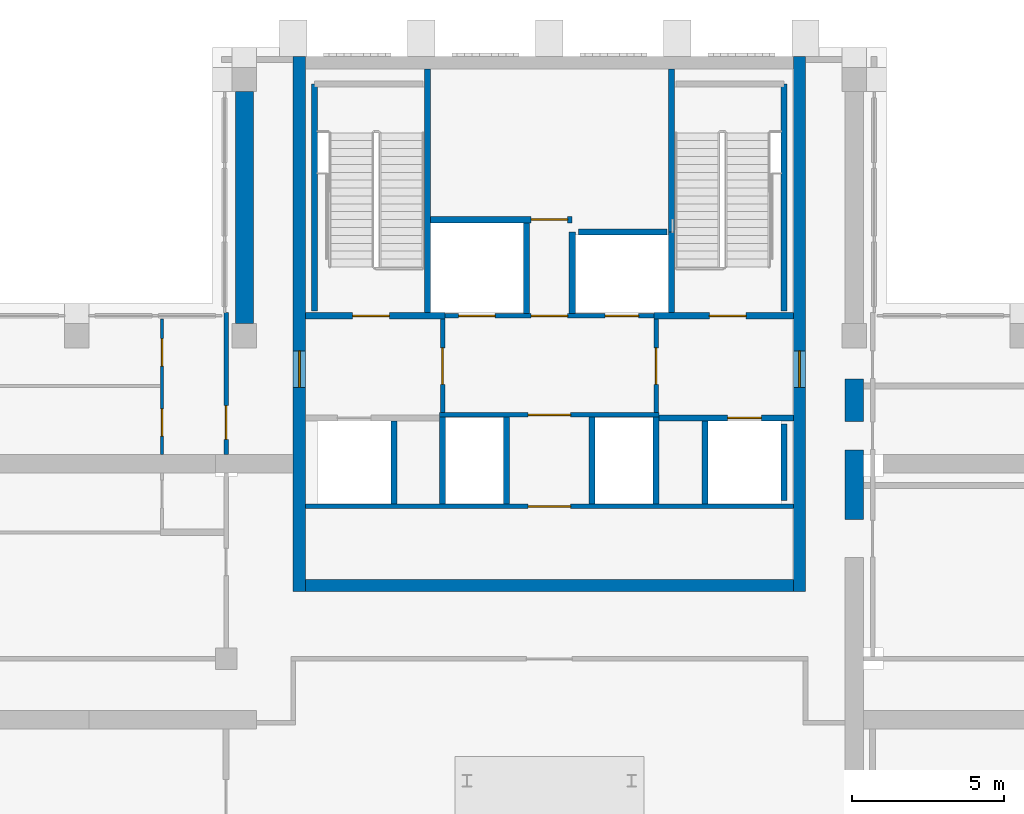
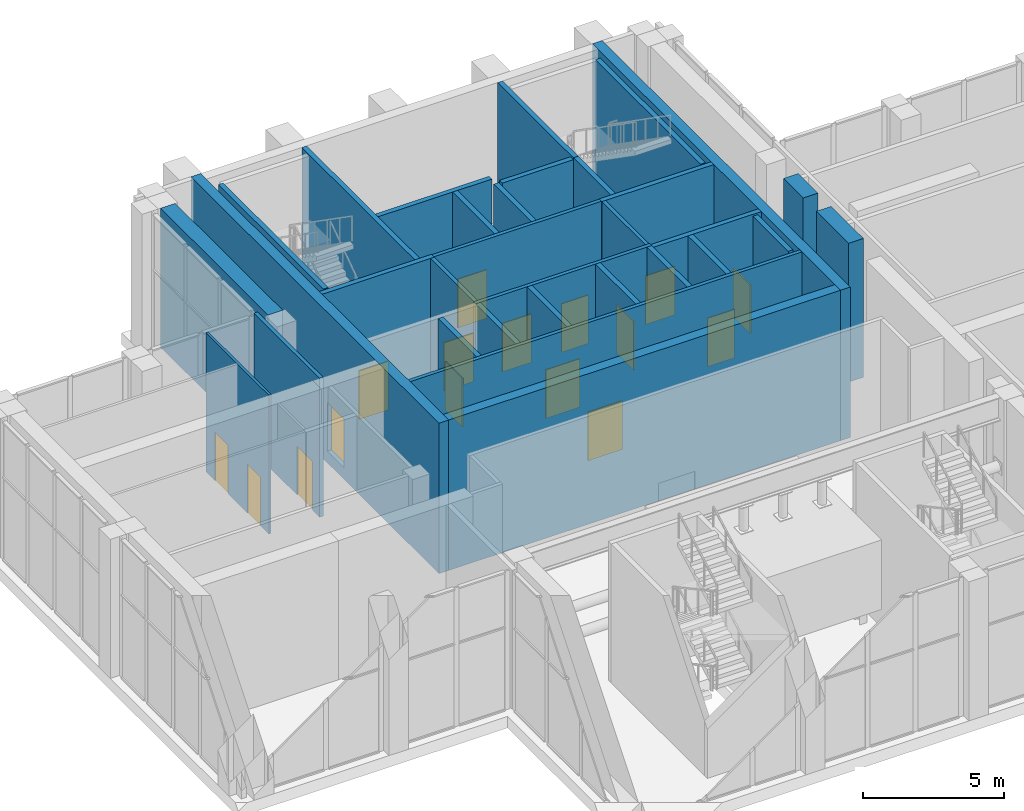
# One storey, part 10 of 14: 32 walls, 16 doors, 16 openings.
"""IFC4 building model written with IfcOpenShell, lengths in metres."""

from ifc_helpers import new_model, si_unit, direction, frame, frame_2d, origin, place, context, subcontext, project, spatial, rectangle, extrude, material, layer, layer_set, type_object, element, fill, save


model = new_model("IFC4")

# Units and contexts
model_context = context("Model", 3, precision=1e-05, world=origin(), true_north=direction((0.0, 1.0)))
body_context = subcontext(model_context, "Body", "Model", "MODEL_VIEW")
ifc_project = project(units=[si_unit("LENGTHUNIT", "METRE"), si_unit("AREAUNIT", "SQUARE_METRE"), si_unit("VOLUMEUNIT", "CUBIC_METRE"), si_unit("PLANEANGLEUNIT", "RADIAN"), si_unit("MASSUNIT", "GRAM", prefix="KILO")], contexts=[model_context])

# Site, building, storey
site_placement = place(None, origin())
site = spatial("IfcSite", under=ifc_project, at=site_placement, CompositionType="ELEMENT")
building_placement = place(site_placement, origin())
building = spatial("IfcBuilding", under=site, at=building_placement, Name="Vermilion Ogive Tower", CompositionType="ELEMENT")
storey_placement = place(building_placement, frame((0.0, 0.0, 278.35009765625)))
storey = spatial("IfcBuildingStorey", under=building, at=storey_placement, Name="L73", CompositionType="ELEMENT", Elevation=278.35009765625)

# Wall, opening, door
ifc_material_1 = material(Name="Concrete B60", Category="concrete")
ifc_layer_1 = layer(ifc_material_1, 0.39990234375)
ifc_layer_set_1 = layer_set([ifc_layer_1], Name="Core wall 400 B60")
wall_type_1 = type_object("IfcWallType", Name="Core wall 400 B60", PredefinedType="SHEAR", material=ifc_layer_set_1)
wall_1_placement = place(storey_placement, frame((8.199951171875, 4.199951171875, -0.5), z_axis=(0.0, 0.0, 1.0), x_axis=(0.0, 1.0, 0.0)))
wall_1 = element("IfcWall", 1, at=wall_1_placement, inside=storey, type_object=wall_type_1, Name="L73-CORE-E", PredefinedType="SHEAR", context=body_context, shape_type="SweptSolid", body=[
    extrude(rectangle(XDim=17.550048828125, YDim=0.39990234375, at=frame_2d((8.77490234375, 0.0))), origin(), (0.0, 0.0, 1.0), 6.5),
])
opening_1_placement = place(wall_1_placement, frame((6.699951171875, 0.0, 0.5)))
opening_1 = element("IfcOpeningElement", 2, at=opening_1_placement, cuts=wall_1, Name="Opening DAY003", PredefinedType="OPENING", context=body_context, shape_type="SweptSolid", body=[
    extrude(rectangle(XDim=1.199951171875, YDim=2.10009765625, at=frame_2d((0.60009765625, 1.050048828125))), frame((0.0, 0.2099609375, 0.0), z_axis=(0.0, -1.0, 0.0), x_axis=(1.0, 0.0, 0.0)), (0.0, 0.0, 1.0), 0.419921875),
])
ifc_material_2 = material(Name="Timber door leaf", Category="wood")
door_type_1 = type_object("IfcDoorType", Name="Link door 1200 x 2100 FD60S", OperationType="SINGLE_SWING_LEFT", PredefinedType="DOOR", material=ifc_material_2)
door_1_placement = place(opening_1_placement, origin())
door_1 = element("IfcDoor", 3, at=door_1_placement, inside=storey, type_object=door_type_1, Name="L73-CK-XD2", OperationType="SINGLE_SWING_LEFT", OverallHeight=2.10009765625, OverallWidth=1.199951171875, PredefinedType="DOOR", context=body_context, shape_type="SweptSolid", body=[
    extrude(rectangle(XDim=1.199951171875, YDim=2.10009765625, at=frame_2d((0.60009765625, 1.050048828125))), frame((0.0, 0.02490234375, 0.0), z_axis=(0.0, -1.0, 0.0), x_axis=(1.0, 0.0, 0.0)), (0.0, 0.0, 1.0), 0.050048828125),
])
fill(opening_1, door_1)

wall_2_placement = place(storey_placement, frame((-8.199951171875, 4.199951171875, -0.5), z_axis=(0.0, 0.0, 1.0), x_axis=(0.0, 1.0, 0.0)))
wall_2 = element("IfcWall", 4, at=wall_2_placement, inside=storey, type_object=wall_type_1, Name="L73-CORE-W", PredefinedType="SHEAR", context=body_context, shape_type="SweptSolid", body=[
    extrude(rectangle(XDim=17.550048828125, YDim=0.39990234375, at=frame_2d((8.77490234375, 0.0))), origin(), (0.0, 0.0, 1.0), 6.5),
])
opening_2_placement = place(wall_2_placement, frame((6.699951171875, 0.0, 0.5)))
opening_2 = element("IfcOpeningElement", 5, at=opening_2_placement, cuts=wall_2, Name="Opening DAZ003", PredefinedType="OPENING", context=body_context, shape_type="SweptSolid", body=[
    extrude(rectangle(XDim=1.199951171875, YDim=2.10009765625, at=frame_2d((0.60009765625, 1.050048828125))), frame((0.0, 0.2099609375, 0.0), z_axis=(0.0, -1.0, 0.0), x_axis=(1.0, 0.0, 0.0)), (0.0, 0.0, 1.0), 0.419921875),
])
door_2_placement = place(opening_2_placement, origin())
door_2 = element("IfcDoor", 6, at=door_2_placement, inside=storey, type_object=door_type_1, Name="L73-CK-XD1", OperationType="SINGLE_SWING_LEFT", OverallHeight=2.10009765625, OverallWidth=1.199951171875, PredefinedType="DOOR", context=body_context, shape_type="SweptSolid", body=[
    extrude(rectangle(XDim=1.199951171875, YDim=2.10009765625, at=frame_2d((0.60009765625, 1.050048828125))), frame((0.0, 0.02490234375, 0.0), z_axis=(0.0, -1.0, 0.0), x_axis=(1.0, 0.0, 0.0)), (0.0, 0.0, 1.0), 0.050048828125),
])
fill(opening_2, door_2)

# Wall
wall_3_placement = place(storey_placement, frame((-8.0, 4.39990234375, -0.5), z_axis=(0.0, 0.0, 1.0), x_axis=(1.0, 0.0, 0.0)))
element("IfcWall", 7, at=wall_3_placement, inside=storey, type_object=wall_type_1, Name="L73-CORE-S", PredefinedType="SHEAR", context=body_context, shape_type="SweptSolid", body=[
    extrude(rectangle(XDim=16.0, YDim=0.39990234375, at=frame_2d((8.0, 0.0))), origin(), (0.0, 0.0, 1.0), 6.5),
])

# Wall, openings, doors
ifc_material_3 = material(Name="Gypsum board partition on steel studs", Category="steel")
ifc_layer_2 = layer(ifc_material_3, 0.10009765625)
ifc_layer_set_2 = layer_set([ifc_layer_2], Name="Partition 100 bath")
wall_type_2 = type_object("IfcWallType", Name="Partition 100 bath", PredefinedType="PARTITIONING", material=ifc_layer_set_2)
wall_4_placement = place(storey_placement, frame((-12.699951171875, 8.700927734375, 0.0), z_axis=(0.0, 0.0, 1.0), x_axis=(0.0, 1.0, 0.0)))
wall_4 = element("IfcWall", 8, at=wall_4_placement, inside=storey, type_object=wall_type_2, Name="L73-FS-W-W012b", PredefinedType="PARTITIONING", context=body_context, shape_type="SweptSolid", body=[
    extrude(rectangle(XDim=4.448974609375, YDim=0.10009765625, at=frame_2d((2.224609375, 0.0))), origin(), (0.0, 0.0, 1.0), 6.0),
])
opening_3_placement = place(wall_4_placement, frame((0.59912109375, 0.0, 0.0)))
opening_3 = element("IfcOpeningElement", 9, at=opening_3_placement, cuts=wall_4, Name="Opening L73S006", PredefinedType="OPENING", context=body_context, shape_type="SweptSolid", body=[
    extrude(rectangle(XDim=0.89990234375, YDim=2.10009765625, at=frame_2d((0.449951171875, 1.050048828125))), frame((0.0, 0.06005859375, 0.0), z_axis=(0.0, -1.0, 0.0), x_axis=(1.0, 0.0, 0.0)), (0.0, 0.0, 1.0), 0.1201171875),
])
opening_4_placement = place(wall_4_placement, frame((2.89892578125, 0.0, 0.0)))
opening_4 = element("IfcOpeningElement", 10, at=opening_4_placement, cuts=wall_4, Name="Opening L73S007", PredefinedType="OPENING", context=body_context, shape_type="SweptSolid", body=[
    extrude(rectangle(XDim=0.89990234375, YDim=2.10009765625, at=frame_2d((0.449951171875, 1.050048828125))), frame((0.0, 0.06005859375, 0.0), z_axis=(0.0, -1.0, 0.0), x_axis=(1.0, 0.0, 0.0)), (0.0, 0.0, 1.0), 0.1201171875),
])
ifc_material_4 = material(Name="Timber door leaf", Category="wood")
door_type_2 = type_object("IfcDoorType", Name="Room door 900 x 2100 FD30", OperationType="SINGLE_SWING_LEFT", PredefinedType="DOOR", material=ifc_material_4)
door_3_placement = place(opening_3_placement, origin())
door_3 = element("IfcDoor", 11, at=door_3_placement, inside=storey, type_object=door_type_2, Name="L73-FS-D-D006", OperationType="SINGLE_SWING_LEFT", OverallHeight=2.10009765625, OverallWidth=0.89990234375, PredefinedType="DOOR", context=body_context, shape_type="SweptSolid", body=[
    extrude(rectangle(XDim=0.89990234375, YDim=2.10009765625, at=frame_2d((0.449951171875, 1.050048828125))), frame((0.0, 0.02490234375, 0.0), z_axis=(0.0, -1.0, 0.0), x_axis=(1.0, 0.0, 0.0)), (0.0, 0.0, 1.0), 0.050048828125),
])
fill(opening_3, door_3)
door_4_placement = place(opening_4_placement, origin())
door_4 = element("IfcDoor", 12, at=door_4_placement, inside=storey, type_object=door_type_2, Name="L73-FS-D-D007", OperationType="SINGLE_SWING_RIGHT", OverallHeight=2.10009765625, OverallWidth=0.89990234375, PredefinedType="DOOR", context=body_context, shape_type="SweptSolid", body=[
    extrude(rectangle(XDim=0.89990234375, YDim=2.10009765625, at=frame_2d((0.449951171875, 1.050048828125))), frame((0.0, 0.02490234375, 0.0), z_axis=(0.0, -1.0, 0.0), x_axis=(1.0, 0.0, 0.0)), (0.0, 0.0, 1.0), 0.050048828125),
])
fill(opening_4, door_4)

# Wall, opening, door
ifc_material_5 = material(Name="Gypsum board partition on steel studs", Category="steel")
ifc_layer_3 = layer(ifc_material_5, 0.14990234375)
ifc_layer_set_3 = layer_set([ifc_layer_3], Name="Partition 150 corridor")
wall_type_3 = type_object("IfcWallType", Name="Partition 150 corridor", PredefinedType="PARTITIONING", material=ifc_layer_set_3)
wall_5_placement = place(storey_placement, frame((-10.60009765625, 8.700927734375, 0.0), z_axis=(0.0, 0.0, 1.0), x_axis=(0.0, 1.0, 0.0)))
wall_5 = element("IfcWall", 13, at=wall_5_placement, inside=storey, type_object=wall_type_3, Name="L73-FS-W-W014b", PredefinedType="PARTITIONING", context=body_context, shape_type="SweptSolid", body=[
    extrude(rectangle(XDim=4.649169921875, YDim=0.14990234375, at=frame_2d((2.32470703125, 0.0))), origin(), (0.0, 0.0, 1.0), 6.0),
])
opening_5_placement = place(wall_5_placement, frame((0.4990234375, 0.0, 0.0)))
opening_5 = element("IfcOpeningElement", 14, at=opening_5_placement, cuts=wall_5, Name="Opening L73S004", PredefinedType="OPENING", context=body_context, shape_type="SweptSolid", body=[
    extrude(rectangle(XDim=1.10009765625, YDim=2.10009765625, at=frame_2d((0.550048828125, 1.050048828125))), frame((0.0, 0.0849609375, 0.0), z_axis=(0.0, -1.0, 0.0), x_axis=(1.0, 0.0, 0.0)), (0.0, 0.0, 1.0), 0.169921875),
])
ifc_material_6 = material(Name="Timber door leaf", Category="wood")
door_type_3 = type_object("IfcDoorType", Name="Wc door 1100 x 2100 FD30", OperationType="SINGLE_SWING_LEFT", PredefinedType="DOOR", material=ifc_material_6)
door_5_placement = place(opening_5_placement, origin())
door_5 = element("IfcDoor", 15, at=door_5_placement, inside=storey, type_object=door_type_3, Name="L73-FS-D-D004", OperationType="SINGLE_SWING_LEFT", OverallHeight=2.10009765625, OverallWidth=1.10009765625, PredefinedType="DOOR", context=body_context, shape_type="SweptSolid", body=[
    extrude(rectangle(XDim=1.10009765625, YDim=2.10009765625, at=frame_2d((0.550048828125, 1.050048828125))), frame((0.0, 0.02490234375, 0.0), z_axis=(0.0, -1.0, 0.0), x_axis=(1.0, 0.0, 0.0)), (0.0, 0.0, 1.0), 0.050048828125),
])
fill(opening_5, door_5)

wall_6_placement = place(storey_placement, frame((-7.9990234375, 7.0, 0.0), z_axis=(0.0, 0.0, 1.0), x_axis=(1.0, 0.0, 0.0)))
wall_6 = element("IfcWall", 16, at=wall_6_placement, inside=storey, type_object=wall_type_3, Name="L73-CK-W-W001", PredefinedType="PARTITIONING", context=body_context, shape_type="SweptSolid", body=[
    extrude(rectangle(XDim=15.998046875, YDim=0.14990234375, at=frame_2d((7.9990234375, 0.0))), origin(), (0.0, 0.0, 1.0), 6.0),
])
opening_6_placement = place(wall_6_placement, frame((7.299072265625, 0.0, 0.0)))
opening_6 = element("IfcOpeningElement", 17, at=opening_6_placement, cuts=wall_6, Name="Opening DAE031", PredefinedType="OPENING", context=body_context, shape_type="SweptSolid", body=[
    extrude(rectangle(XDim=1.39990234375, YDim=2.10009765625, at=frame_2d((0.699951171875, 1.050048828125))), frame((0.0, 0.0849609375, 0.0), z_axis=(0.0, -1.0, 0.0), x_axis=(1.0, 0.0, 0.0)), (0.0, 0.0, 1.0), 0.169921875),
])
ifc_material_7 = material(Name="Timber door leaf", Category="wood")
door_type_4 = type_object("IfcDoorType", Name="Lobby door 1400 x 2100 FD60S", OperationType="SINGLE_SWING_LEFT", PredefinedType="DOOR", material=ifc_material_7)
door_6_placement = place(opening_6_placement, origin())
door_6 = element("IfcDoor", 18, at=door_6_placement, inside=storey, type_object=door_type_4, Name="L73-CK-D-D005", OperationType="SINGLE_SWING_RIGHT", OverallHeight=2.10009765625, OverallWidth=1.39990234375, PredefinedType="DOOR", context=body_context, shape_type="SweptSolid", body=[
    extrude(rectangle(XDim=1.39990234375, YDim=2.10009765625, at=frame_2d((0.699951171875, 1.050048828125))), frame((0.0, 0.02490234375, 0.0), z_axis=(0.0, -1.0, 0.0), x_axis=(1.0, 0.0, 0.0)), (0.0, 0.0, 1.0), 0.050048828125),
])
fill(opening_6, door_6)

wall_7_placement = place(storey_placement, frame((-3.60009765625, 10.0, 0.0), z_axis=(0.0, 0.0, 1.0), x_axis=(1.0, 0.0, 0.0)))
wall_7 = element("IfcWall", 19, at=wall_7_placement, inside=storey, type_object=wall_type_3, Name="L73-CK-W-W004", PredefinedType="PARTITIONING", context=body_context, shape_type="SweptSolid", body=[
    extrude(rectangle(XDim=7.2001953125, YDim=0.14990234375, at=frame_2d((3.60009765625, 0.0))), origin(), (0.0, 0.0, 1.0), 6.0),
])
opening_7_placement = place(wall_7_placement, frame((2.900146484375, 0.0, 0.0)))
opening_7 = element("IfcOpeningElement", 20, at=opening_7_placement, cuts=wall_7, Name="Opening DAE032", PredefinedType="OPENING", context=body_context, shape_type="SweptSolid", body=[
    extrude(rectangle(XDim=1.39990234375, YDim=2.10009765625, at=frame_2d((0.699951171875, 1.050048828125))), frame((0.0, 0.0849609375, 0.0), z_axis=(0.0, -1.0, 0.0), x_axis=(1.0, 0.0, 0.0)), (0.0, 0.0, 1.0), 0.169921875),
])
door_7_placement = place(opening_7_placement, origin())
door_7 = element("IfcDoor", 21, at=door_7_placement, inside=storey, type_object=door_type_4, Name="L73-CK-D-D006", OperationType="SINGLE_SWING_RIGHT", OverallHeight=2.10009765625, OverallWidth=1.39990234375, PredefinedType="DOOR", context=body_context, shape_type="SweptSolid", body=[
    extrude(rectangle(XDim=1.39990234375, YDim=2.10009765625, at=frame_2d((0.699951171875, 1.050048828125))), frame((0.0, 0.02490234375, 0.0), z_axis=(0.0, -1.0, 0.0), x_axis=(1.0, 0.0, 0.0)), (0.0, 0.0, 1.0), 0.050048828125),
])
fill(opening_7, door_7)

# Wall, openings, doors
wall_8_placement = place(storey_placement, frame((-3.574951171875, 13.25, 0.0), z_axis=(0.0, 0.0, 1.0), x_axis=(1.0, 0.0, 0.0)))
wall_8 = element("IfcWall", 22, at=wall_8_placement, inside=storey, type_object=wall_type_3, Name="L73-CK-W-W006", PredefinedType="PARTITIONING", context=body_context, shape_type="SweptSolid", body=[
    extrude(rectangle(XDim=7.14990234375, YDim=0.14990234375, at=frame_2d((3.574951171875, 0.0))), origin(), (0.0, 0.0, 1.0), 6.0),
])
opening_8_placement = place(wall_8_placement, frame((0.599853515625, 0.0, 0.0)))
opening_8 = element("IfcOpeningElement", 23, at=opening_8_placement, cuts=wall_8, Name="Opening DAE040", PredefinedType="OPENING", context=body_context, shape_type="SweptSolid", body=[
    extrude(rectangle(XDim=1.199951171875, YDim=2.10009765625, at=frame_2d((0.60009765625, 1.050048828125))), frame((0.0, 0.0849609375, 0.0), z_axis=(0.0, -1.0, 0.0), x_axis=(1.0, 0.0, 0.0)), (0.0, 0.0, 1.0), 0.169921875),
])
opening_9_placement = place(wall_8_placement, frame((5.39990234375, 0.0, 0.0)))
opening_9 = element("IfcOpeningElement", 24, at=opening_9_placement, cuts=wall_8, Name="Opening DAE039", PredefinedType="OPENING", context=body_context, shape_type="SweptSolid", body=[
    extrude(rectangle(XDim=1.10009765625, YDim=2.10009765625, at=frame_2d((0.550048828125, 1.050048828125))), frame((0.0, 0.0849609375, 0.0), z_axis=(0.0, -1.0, 0.0), x_axis=(1.0, 0.0, 0.0)), (0.0, 0.0, 1.0), 0.169921875),
])
opening_10_placement = place(wall_8_placement, frame((2.974853515625, 0.0, 0.0)))
opening_10 = element("IfcOpeningElement", 25, at=opening_10_placement, cuts=wall_8, Name="Opening DAE033", PredefinedType="OPENING", context=body_context, shape_type="SweptSolid", body=[
    extrude(rectangle(XDim=1.199951171875, YDim=2.10009765625, at=frame_2d((0.60009765625, 1.050048828125))), frame((0.0, 0.0849609375, 0.0), z_axis=(0.0, -1.0, 0.0), x_axis=(1.0, 0.0, 0.0)), (0.0, 0.0, 1.0), 0.169921875),
])
ifc_material_8 = material(Name="Stainless steel", Category="steel")
door_type_5 = type_object("IfcDoorType", Name="Lift landing door 1100 x 2100", OperationType="SLIDING_TO_LEFT", PredefinedType="DOOR", material=ifc_material_8)
door_8_placement = place(opening_9_placement, origin())
door_8 = element("IfcDoor", 26, at=door_8_placement, inside=storey, type_object=door_type_5, Name="L73-CK-D-D008", OperationType="SLIDING_TO_LEFT", OverallHeight=2.10009765625, OverallWidth=1.10009765625, PredefinedType="DOOR", context=body_context, shape_type="SweptSolid", body=[
    extrude(rectangle(XDim=1.10009765625, YDim=2.10009765625, at=frame_2d((0.550048828125, 1.050048828125))), frame((0.0, 0.02490234375, 0.0), z_axis=(0.0, -1.0, 0.0), x_axis=(1.0, 0.0, 0.0)), (0.0, 0.0, 1.0), 0.050048828125),
])
fill(opening_9, door_8)
ifc_material_9 = material(Name="Stainless steel", Category="steel")
door_type_6 = type_object("IfcDoorType", Name="Lift landing door 1200 x 2100", OperationType="SLIDING_TO_LEFT", PredefinedType="DOOR", material=ifc_material_9)
door_9_placement = place(opening_8_placement, origin())
door_9 = element("IfcDoor", 27, at=door_9_placement, inside=storey, type_object=door_type_6, Name="L73-CK-D-D007", OperationType="SLIDING_TO_RIGHT", OverallHeight=2.10009765625, OverallWidth=1.199951171875, PredefinedType="DOOR", context=body_context, shape_type="SweptSolid", body=[
    extrude(rectangle(XDim=1.199951171875, YDim=2.10009765625, at=frame_2d((0.60009765625, 1.050048828125))), frame((0.0, 0.02490234375, 0.0), z_axis=(0.0, -1.0, 0.0), x_axis=(1.0, 0.0, 0.0)), (0.0, 0.0, 1.0), 0.050048828125),
])
fill(opening_8, door_9)
ifc_material_10 = material(Name="Timber door leaf", Category="wood")
door_type_7 = type_object("IfcDoorType", Name="Service door 1200 x 2100 FD60", OperationType="SINGLE_SWING_LEFT", PredefinedType="DOOR", material=ifc_material_10)
door_10_placement = place(opening_10_placement, origin())
door_10 = element("IfcDoor", 28, at=door_10_placement, inside=storey, type_object=door_type_7, Name="L73-CK-D-D009", OperationType="SINGLE_SWING_RIGHT", OverallHeight=2.10009765625, OverallWidth=1.199951171875, PredefinedType="DOOR", context=body_context, shape_type="SweptSolid", body=[
    extrude(rectangle(XDim=1.199951171875, YDim=2.10009765625, at=frame_2d((0.60009765625, 1.050048828125))), frame((0.0, 0.02490234375, 0.0), z_axis=(0.0, -1.0, 0.0), x_axis=(1.0, 0.0, 0.0)), (0.0, 0.0, 1.0), 0.050048828125),
])
fill(opening_10, door_10)

# Wall, opening, door
wall_9_placement = place(storey_placement, frame((-3.5, 10.074951171875, 0.0), z_axis=(0.0, 0.0, 1.0), x_axis=(0.0, 1.0, 0.0)))
wall_9 = element("IfcWall", 29, at=wall_9_placement, inside=storey, type_object=wall_type_3, Name="L73-CK-W-W012", PredefinedType="PARTITIONING", context=body_context, shape_type="SweptSolid", body=[
    extrude(rectangle(XDim=3.074951171875, YDim=0.14990234375, at=frame_2d((1.53759765625, 0.0))), origin(), (0.0, 0.0, 1.0), 6.0),
])
opening_11_placement = place(wall_9_placement, frame((0.925048828125, 0.0, 0.0)))
opening_11 = element("IfcOpeningElement", 30, at=opening_11_placement, cuts=wall_9, Name="Opening DAE029", PredefinedType="OPENING", context=body_context, shape_type="SweptSolid", body=[
    extrude(rectangle(XDim=1.199951171875, YDim=2.10009765625, at=frame_2d((0.60009765625, 1.050048828125))), frame((0.0, 0.0849609375, 0.0), z_axis=(0.0, -1.0, 0.0), x_axis=(1.0, 0.0, 0.0)), (0.0, 0.0, 1.0), 0.169921875),
])
ifc_material_11 = material(Name="Timber door leaf", Category="wood")
door_type_8 = type_object("IfcDoorType", Name="Lobby door 1200 x 2100 FD60S", OperationType="SINGLE_SWING_LEFT", PredefinedType="DOOR", material=ifc_material_11)
door_11_placement = place(opening_11_placement, origin())
door_11 = element("IfcDoor", 31, at=door_11_placement, inside=storey, type_object=door_type_8, Name="L73-CK-D-D011", OperationType="SINGLE_SWING_RIGHT", OverallHeight=2.10009765625, OverallWidth=1.199951171875, PredefinedType="DOOR", context=body_context, shape_type="SweptSolid", body=[
    extrude(rectangle(XDim=1.199951171875, YDim=2.10009765625, at=frame_2d((0.60009765625, 1.050048828125))), frame((0.0, 0.02490234375, 0.0), z_axis=(0.0, -1.0, 0.0), x_axis=(1.0, 0.0, 0.0)), (0.0, 0.0, 1.0), 0.050048828125),
])
fill(opening_11, door_11)

wall_10_placement = place(storey_placement, frame((3.5, 10.074951171875, 0.0), z_axis=(0.0, 0.0, 1.0), x_axis=(0.0, 1.0, 0.0)))
wall_10 = element("IfcWall", 32, at=wall_10_placement, inside=storey, type_object=wall_type_3, Name="L73-CK-W-W018", PredefinedType="PARTITIONING", context=body_context, shape_type="SweptSolid", body=[
    extrude(rectangle(XDim=3.074951171875, YDim=0.14990234375, at=frame_2d((1.53759765625, 0.0))), origin(), (0.0, 0.0, 1.0), 6.0),
])
opening_12_placement = place(wall_10_placement, frame((0.925048828125, 0.0, 0.0)))
opening_12 = element("IfcOpeningElement", 33, at=opening_12_placement, cuts=wall_10, Name="Opening DAE030", PredefinedType="OPENING", context=body_context, shape_type="SweptSolid", body=[
    extrude(rectangle(XDim=1.199951171875, YDim=2.10009765625, at=frame_2d((0.60009765625, 1.050048828125))), frame((0.0, 0.0849609375, 0.0), z_axis=(0.0, -1.0, 0.0), x_axis=(1.0, 0.0, 0.0)), (0.0, 0.0, 1.0), 0.169921875),
])
door_12_placement = place(opening_12_placement, origin())
door_12 = element("IfcDoor", 34, at=door_12_placement, inside=storey, type_object=door_type_8, Name="L73-CK-D-D012", OperationType="SINGLE_SWING_LEFT", OverallHeight=2.10009765625, OverallWidth=1.199951171875, PredefinedType="DOOR", context=body_context, shape_type="SweptSolid", body=[
    extrude(rectangle(XDim=1.199951171875, YDim=2.10009765625, at=frame_2d((0.60009765625, 1.050048828125))), frame((0.0, 0.02490234375, 0.0), z_axis=(0.0, -1.0, 0.0), x_axis=(1.0, 0.0, 0.0)), (0.0, 0.0, 1.0), 0.050048828125),
])
fill(opening_12, door_12)

ifc_material_12 = material(Name="Gypsum board partition on steel studs", Category="steel")
ifc_layer_4 = layer(ifc_material_12, 0.199951171875)
ifc_layer_set_4 = layer_set([ifc_layer_4], Name="Partition 200 party")
wall_type_4 = type_object("IfcWallType", Name="Partition 200 party", PredefinedType="PARTITIONING", material=ifc_layer_set_4)
wall_11_placement = place(storey_placement, frame((3.60009765625, 9.89990234375, 0.0), z_axis=(0.0, 0.0, 1.0), x_axis=(1.0, 0.0, 0.0)))
wall_11 = element("IfcWall", 35, at=wall_11_placement, inside=storey, type_object=wall_type_4, Name="L73-CK-W-W003", PredefinedType="PARTITIONING", context=body_context, shape_type="SweptSolid", body=[
    extrude(rectangle(XDim=4.39892578125, YDim=0.199951171875, at=frame_2d((2.199462890625, 0.0))), origin(), (0.0, 0.0, 1.0), 6.0),
])
opening_13_placement = place(wall_11_placement, frame((2.25, 0.0, 0.0)))
opening_13 = element("IfcOpeningElement", 36, at=opening_13_placement, cuts=wall_11, Name="Opening DAE038", PredefinedType="OPENING", context=body_context, shape_type="SweptSolid", body=[
    extrude(rectangle(XDim=1.10009765625, YDim=2.10009765625, at=frame_2d((0.550048828125, 1.050048828125))), frame((0.0, 0.10986328125, 0.0), z_axis=(0.0, -1.0, 0.0), x_axis=(1.0, 0.0, 0.0)), (0.0, 0.0, 1.0), 0.219970703125),
])
door_13_placement = place(opening_13_placement, origin())
door_13 = element("IfcDoor", 37, at=door_13_placement, inside=storey, type_object=door_type_5, Name="L73-CK-D-D004", OperationType="SLIDING_TO_LEFT", OverallHeight=2.10009765625, OverallWidth=1.10009765625, PredefinedType="DOOR", context=body_context, shape_type="SweptSolid", body=[
    extrude(rectangle(XDim=1.10009765625, YDim=2.10009765625, at=frame_2d((0.550048828125, 1.050048828125))), frame((0.0, 0.02490234375, 0.0), z_axis=(0.0, -1.0, 0.0), x_axis=(1.0, 0.0, 0.0)), (0.0, 0.0, 1.0), 0.050048828125),
])
fill(opening_13, door_13)

wall_12_placement = place(storey_placement, frame((-3.89990234375, 16.39990234375, 0.0), z_axis=(0.0, 0.0, 1.0), x_axis=(1.0, 0.0, 0.0)))
wall_12 = element("IfcWall", 38, at=wall_12_placement, inside=storey, type_object=wall_type_4, Name="L73-CK-W-W008", PredefinedType="PARTITIONING", context=body_context, shape_type="SweptSolid", body=[
    extrude(rectangle(XDim=4.64990234375, YDim=0.199951171875, at=frame_2d((2.324951171875, 0.0))), origin(), (0.0, 0.0, 1.0), 6.0),
])
opening_14_placement = place(wall_12_placement, frame((3.2998046875, 0.0, 0.0)))
opening_14 = element("IfcOpeningElement", 39, at=opening_14_placement, cuts=wall_12, Name="Opening DAE034", PredefinedType="OPENING", context=body_context, shape_type="SweptSolid", body=[
    extrude(rectangle(XDim=1.199951171875, YDim=2.10009765625, at=frame_2d((0.60009765625, 1.050048828125))), frame((0.0, 0.10986328125, 0.0), z_axis=(0.0, -1.0, 0.0), x_axis=(1.0, 0.0, 0.0)), (0.0, 0.0, 1.0), 0.219970703125),
])
door_14_placement = place(opening_14_placement, origin())
door_14 = element("IfcDoor", 40, at=door_14_placement, inside=storey, type_object=door_type_7, Name="L73-CK-D-D010", OperationType="SINGLE_SWING_RIGHT", OverallHeight=2.10009765625, OverallWidth=1.199951171875, PredefinedType="DOOR", context=body_context, shape_type="SweptSolid", body=[
    extrude(rectangle(XDim=1.199951171875, YDim=2.10009765625, at=frame_2d((0.60009765625, 1.050048828125))), frame((0.0, 0.02490234375, 0.0), z_axis=(0.0, -1.0, 0.0), x_axis=(1.0, 0.0, 0.0)), (0.0, 0.0, 1.0), 0.050048828125),
])
fill(opening_14, door_14)

# Walls
wall_13_placement = place(storey_placement, frame((-5.10009765625, 7.074951171875, 0.0), z_axis=(0.0, 0.0, 1.0), x_axis=(0.0, 1.0, 0.0)))
element("IfcWall", 41, at=wall_13_placement, inside=storey, type_object=wall_type_4, Name="L73-CK-W-W009", PredefinedType="PARTITIONING", context=body_context, shape_type="SweptSolid", body=[
    extrude(rectangle(XDim=2.72509765625, YDim=0.199951171875, at=frame_2d((1.362548828125, 0.0))), origin(), (0.0, 0.0, 1.0), 6.0),
])
for number, where, z_axis, x_axis, name in (
    (42, (-3.5, 7.074951171875, 0.0), (0.0, 0.0, 1.0), (0.0, 1.0, 0.0), "L73-CK-W-W011"),
    (43, (-1.39990234375, 7.074951171875, 0.0), (0.0, 0.0, 1.0), (0.0, 1.0, 0.0), "L73-CK-W-W013"),
):
    element("IfcWall", number, at=place(storey_placement, frame(where, z_axis=z_axis, x_axis=x_axis)), inside=storey, type_object=wall_type_4, Name=name, PredefinedType="PARTITIONING", context=body_context, shape_type="SweptSolid", body=[
        extrude(rectangle(XDim=2.85009765625, YDim=0.199951171875, at=frame_2d((1.425048828125, 0.0))), origin(), (0.0, 0.0, 1.0), 6.0),
    ])
wall_14_placement = place(storey_placement, frame((-0.75, 13.324951171875, 0.0), z_axis=(0.0, 0.0, 1.0), x_axis=(0.0, 1.0, 0.0)))
element("IfcWall", 44, at=wall_14_placement, inside=storey, type_object=wall_type_4, Name="L73-CK-W-W014", PredefinedType="PARTITIONING", context=body_context, shape_type="SweptSolid", body=[
    extrude(rectangle(XDim=2.97509765625, YDim=0.199951171875, at=frame_2d((1.487548828125, 0.0))), origin(), (0.0, 0.0, 1.0), 6.0),
])
wall_15_placement = place(storey_placement, frame((0.75, 13.324951171875, 0.0), z_axis=(0.0, 0.0, 1.0), x_axis=(0.0, 1.0, 0.0)))
element("IfcWall", 45, at=wall_15_placement, inside=storey, type_object=wall_type_4, Name="L73-CK-W-W015", PredefinedType="PARTITIONING", context=body_context, shape_type="SweptSolid", body=[
    extrude(rectangle(XDim=2.675048828125, YDim=0.199951171875, at=frame_2d((1.33740234375, 0.0))), origin(), (0.0, 0.0, 1.0), 6.0),
])
for number, where, z_axis, x_axis, name in (
    (46, (1.39990234375, 7.074951171875, 0.0), (0.0, 0.0, 1.0), (0.0, 1.0, 0.0), "L73-CK-W-W016"),
    (47, (3.5, 7.074951171875, 0.0), (0.0, 0.0, 1.0), (0.0, 1.0, 0.0), "L73-CK-W-W017"),
):
    element("IfcWall", number, at=place(storey_placement, frame(where, z_axis=z_axis, x_axis=x_axis)), inside=storey, type_object=wall_type_4, Name=name, PredefinedType="PARTITIONING", context=body_context, shape_type="SweptSolid", body=[
        extrude(rectangle(XDim=2.85009765625, YDim=0.199951171875, at=frame_2d((1.425048828125, 0.0))), origin(), (0.0, 0.0, 1.0), 6.0),
    ])
wall_16_placement = place(storey_placement, frame((5.10009765625, 7.074951171875, 0.0), z_axis=(0.0, 0.0, 1.0), x_axis=(0.0, 1.0, 0.0)))
element("IfcWall", 48, at=wall_16_placement, inside=storey, type_object=wall_type_4, Name="L73-CK-W-W021", PredefinedType="PARTITIONING", context=body_context, shape_type="SweptSolid", body=[
    extrude(rectangle(XDim=2.72509765625, YDim=0.199951171875, at=frame_2d((1.362548828125, 0.0))), origin(), (0.0, 0.0, 1.0), 6.0),
])

# Wall, opening, door
ifc_material_13 = material(Name="Concrete B60", Category="concrete")
ifc_layer_5 = layer(ifc_material_13, 0.199951171875)
ifc_layer_set_5 = layer_set([ifc_layer_5], Name="Stair shaft wall 200 Concrete B60")
wall_type_5 = type_object("IfcWallType", Name="Stair shaft wall 200 Concrete B60", PredefinedType="SOLIDWALL", material=ifc_layer_set_5)
wall_17_placement = place(storey_placement, frame((-7.9990234375, 13.25, 0.0), z_axis=(0.0, 0.0, 1.0), x_axis=(1.0, 0.0, 0.0)))
wall_17 = element("IfcWall", 49, at=wall_17_placement, inside=storey, type_object=wall_type_5, Name="L73-CK-W-W005", PredefinedType="SOLIDWALL", context=body_context, shape_type="SweptSolid", body=[
    extrude(rectangle(XDim=4.573974609375, YDim=0.199951171875, at=frame_2d((2.287109375, 0.0))), origin(), (0.0, 0.0, 1.0), 6.0),
])
opening_15_placement = place(wall_17_placement, frame((1.549072265625, 0.0, 0.0)))
opening_15 = element("IfcOpeningElement", 50, at=opening_15_placement, cuts=wall_17, Name="Opening DAE035", PredefinedType="OPENING", context=body_context, shape_type="SweptSolid", body=[
    extrude(rectangle(XDim=1.199951171875, YDim=2.10009765625, at=frame_2d((0.60009765625, 1.050048828125))), frame((0.0, 0.10986328125, 0.0), z_axis=(0.0, -1.0, 0.0), x_axis=(1.0, 0.0, 0.0)), (0.0, 0.0, 1.0), 0.219970703125),
])
ifc_material_14 = material(Name="Timber door leaf", Category="wood")
door_type_9 = type_object("IfcDoorType", Name="Stair door 1200 x 2100 FD60S", OperationType="SINGLE_SWING_LEFT", PredefinedType="DOOR", material=ifc_material_14)
door_15_placement = place(opening_15_placement, origin())
door_15 = element("IfcDoor", 51, at=door_15_placement, inside=storey, type_object=door_type_9, Name="L73-CK-D-D001", OperationType="SINGLE_SWING_LEFT", OverallHeight=2.10009765625, OverallWidth=1.199951171875, PredefinedType="DOOR", context=body_context, shape_type="SweptSolid", body=[
    extrude(rectangle(XDim=1.199951171875, YDim=2.10009765625, at=frame_2d((0.60009765625, 1.050048828125))), frame((0.0, 0.02490234375, 0.0), z_axis=(0.0, -1.0, 0.0), x_axis=(1.0, 0.0, 0.0)), (0.0, 0.0, 1.0), 0.050048828125),
])
fill(opening_15, door_15)

wall_18_placement = place(storey_placement, frame((3.425048828125, 13.25, 0.0), z_axis=(0.0, 0.0, 1.0), x_axis=(1.0, 0.0, 0.0)))
wall_18 = element("IfcWall", 52, at=wall_18_placement, inside=storey, type_object=wall_type_5, Name="L73-CK-W-W007", PredefinedType="SOLIDWALL", context=body_context, shape_type="SweptSolid", body=[
    extrude(rectangle(XDim=4.573974609375, YDim=0.199951171875, at=frame_2d((2.287109375, 0.0))), origin(), (0.0, 0.0, 1.0), 6.0),
])
opening_16_placement = place(wall_18_placement, frame((1.824951171875, 0.0, 0.0)))
opening_16 = element("IfcOpeningElement", 53, at=opening_16_placement, cuts=wall_18, Name="Opening DAE036", PredefinedType="OPENING", context=body_context, shape_type="SweptSolid", body=[
    extrude(rectangle(XDim=1.199951171875, YDim=2.10009765625, at=frame_2d((0.60009765625, 1.050048828125))), frame((0.0, 0.10986328125, 0.0), z_axis=(0.0, -1.0, 0.0), x_axis=(1.0, 0.0, 0.0)), (0.0, 0.0, 1.0), 0.219970703125),
])
door_16_placement = place(opening_16_placement, origin())
door_16 = element("IfcDoor", 54, at=door_16_placement, inside=storey, type_object=door_type_9, Name="L73-CK-D-D003", OperationType="SINGLE_SWING_RIGHT", OverallHeight=2.10009765625, OverallWidth=1.199951171875, PredefinedType="DOOR", context=body_context, shape_type="SweptSolid", body=[
    extrude(rectangle(XDim=1.199951171875, YDim=2.10009765625, at=frame_2d((0.60009765625, 1.050048828125))), frame((0.0, 0.02490234375, 0.0), z_axis=(0.0, -1.0, 0.0), x_axis=(1.0, 0.0, 0.0)), (0.0, 0.0, 1.0), 0.050048828125),
])
fill(opening_16, door_16)

# Walls
wall_19_placement = place(storey_placement, frame((-4.0, 13.35009765625, 0.0), z_axis=(0.0, 0.0, 1.0), x_axis=(0.0, 1.0, 0.0)))
element("IfcWall", 55, at=wall_19_placement, inside=storey, type_object=wall_type_5, Name="L73-CK-W-W010", PredefinedType="SOLIDWALL", context=body_context, shape_type="SweptSolid", body=[
    extrude(rectangle(XDim=7.9990234375, YDim=0.199951171875, at=frame_2d((3.99951171875, 0.0))), origin(), (0.0, 0.0, 1.0), 6.0),
])
wall_20_placement = place(storey_placement, frame((4.0, 13.35009765625, 0.0), z_axis=(0.0, 0.0, 1.0), x_axis=(0.0, 1.0, 0.0)))
element("IfcWall", 56, at=wall_20_placement, inside=storey, type_object=wall_type_5, Name="L73-CK-W-W019", PredefinedType="SOLIDWALL", context=body_context, shape_type="SweptSolid", body=[
    extrude(rectangle(XDim=2.64990234375, YDim=0.199951171875, at=frame_2d((1.324951171875, 0.0))), origin(), (0.0, 0.0, 1.0), 6.0),
])
wall_21_placement = place(storey_placement, frame((4.0, 16.0, 0.0), z_axis=(0.0, 0.0, 1.0), x_axis=(0.0, 1.0, 0.0)))
element("IfcWall", 57, at=wall_21_placement, inside=storey, type_object=wall_type_5, Name="L73-CK-W-W020", PredefinedType="SOLIDWALL", context=body_context, shape_type="SweptSolid", body=[
    extrude(rectangle(XDim=5.34912109375, YDim=0.199951171875, at=frame_2d((2.674560546875, 0.0))), origin(), (0.0, 0.0, 1.0), 6.0),
])
for number, where, z_axis, x_axis, name in (
    (58, (-7.699951171875, 13.39990234375, 0.0), (0.0, 0.0, 1.0), (0.0, 1.0, 0.0), "L73-SW-R005-W1"),
    (59, (7.699951171875, 13.39990234375, 0.0), (0.0, 0.0, 1.0), (0.0, 1.0, 0.0), "L73-SW-R009-E1"),
):
    element("IfcWall", number, at=place(storey_placement, frame(where, z_axis=z_axis, x_axis=x_axis)), inside=storey, type_object=wall_type_5, Name=name, PredefinedType="SOLIDWALL", context=body_context, shape_type="SweptSolid", body=[
        extrude(rectangle(XDim=7.4501953125, YDim=0.199951171875, at=frame_2d((3.72509765625, 0.0))), origin(), (0.0, 0.0, 1.0), 6.0),
    ])
wall_22_placement = place(storey_placement, frame((7.699951171875, 9.699951171875, 0.0), z_axis=(0.0, 0.0, 1.0), x_axis=(0.0, -1.0, 0.0)))
element("IfcWall", 60, at=wall_22_placement, inside=storey, type_object=wall_type_5, Name="L73-CK-SH1-0", PredefinedType="SOLIDWALL", context=body_context, shape_type="SweptSolid", body=[
    extrude(rectangle(XDim=2.5, YDim=0.199951171875, at=frame_2d((1.25, 0.0))), origin(), (0.0, 0.0, 1.0), 6.0),
])
wall_23_placement = place(storey_placement, frame((0.949951171875, 16.0, 0.0), z_axis=(0.0, 0.0, 1.0), x_axis=(1.0, 0.0, 0.0)))
element("IfcWall", 61, at=wall_23_placement, inside=storey, type_object=wall_type_5, Name="L73-CK-SH4-1", PredefinedType="SOLIDWALL", context=body_context, shape_type="SweptSolid", body=[
    extrude(rectangle(XDim=2.900146484375, YDim=0.199951171875, at=frame_2d((1.4501953125, 0.0))), origin(), (0.0, 0.0, 1.0), 6.0),
])
ifc_material_15 = material(Name="Concrete B60", Category="concrete")
ifc_layer_6 = layer(ifc_material_15, 0.60009765625)
ifc_layer_set_6 = layer_set([ifc_layer_6], Name="Transfer wall 600 B60")
wall_type_6 = type_object("IfcWallType", Name="Transfer wall 600 B60", PredefinedType="SHEAR", material=ifc_layer_set_6)
wall_24_placement = place(storey_placement, frame((-10.0, 13.0, 0.0), z_axis=(0.0, 0.0, 1.0), x_axis=(0.0, 1.0, 0.0)))
element("IfcWall", 62, at=wall_24_placement, inside=storey, type_object=wall_type_6, Name="L73-TW-14", PredefinedType="SHEAR", context=body_context, shape_type="SweptSolid", body=[
    extrude(rectangle(XDim=7.60009765625, YDim=0.60009765625, at=frame_2d((3.800048828125, 0.0))), origin(), (0.0, 0.0, 1.0), 6.0),
])
wall_25_placement = place(storey_placement, frame((10.0, 6.5615234375, 0.0), z_axis=(0.0, 0.0, 1.0), x_axis=(0.0, 1.0, 0.0)))
element("IfcWall", 63, at=wall_25_placement, inside=storey, type_object=wall_type_6, Name="L73-TW-6y", PredefinedType="SHEAR", context=body_context, shape_type="SweptSolid", body=[
    extrude(rectangle(XDim=2.284912109375, YDim=0.60009765625, at=frame_2d((1.142578125, 0.0))), origin(), (0.0, 0.0, 1.0), 6.0),
])
wall_26_placement = place(storey_placement, frame((10.0, 9.786376953125, 0.0), z_axis=(0.0, 0.0, 1.0), x_axis=(0.0, 1.0, 0.0)))
element("IfcWall", 64, at=wall_26_placement, inside=storey, type_object=wall_type_6, Name="L73-TW-6z", PredefinedType="SHEAR", context=body_context, shape_type="SweptSolid", body=[
    extrude(rectangle(XDim=1.3935546875, YDim=0.60009765625, at=frame_2d((0.69677734375, 0.0))), origin(), (0.0, 0.0, 1.0), 6.0),
])

save(model, "model.ifc")
